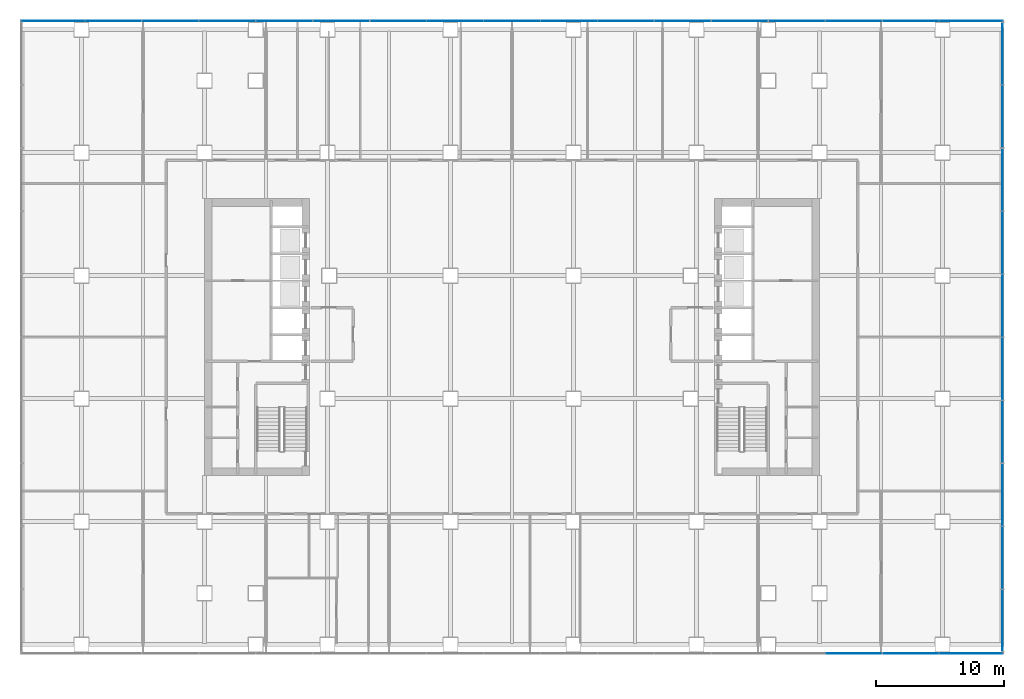
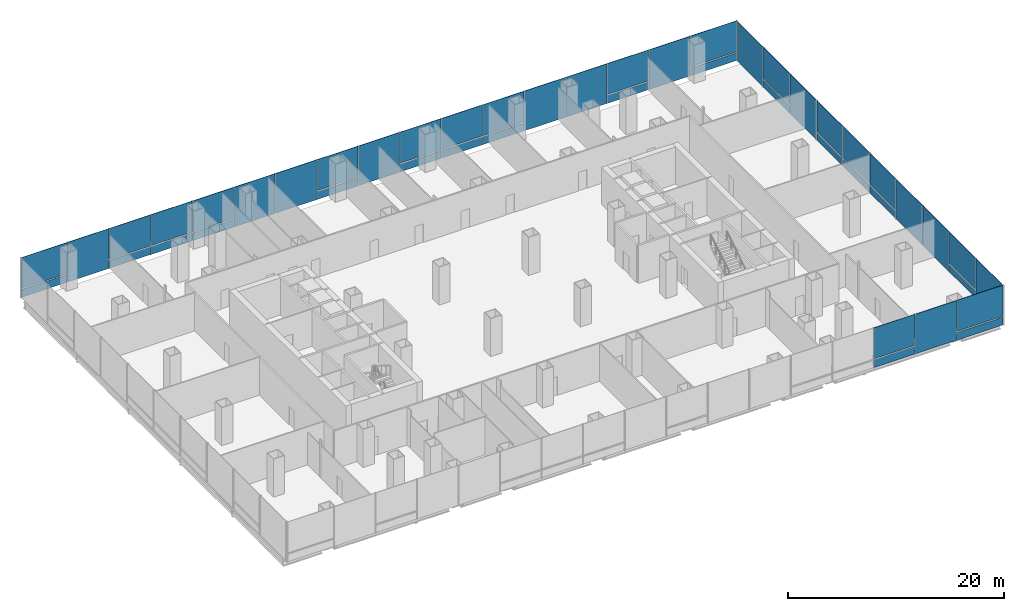
# One storey, part 15 of 23: 47 plates, 3 elements without a shape of their own.
"""IFC4 building model written with IfcOpenShell, lengths in metres."""

from ifc_helpers import new_model, si_unit, direction, frame, origin, origin_2d, place, context, subcontext, project, spatial, rectangle, extrude, material, layer, layer_set, type_object, element, aggregate, save


model = new_model("IFC4")

# Units and contexts
model_context = context("Model", 3, precision=1e-05, world=origin(), true_north=direction((0.0, 1.0)))
body_context = subcontext(model_context, "Body", "Model", "MODEL_VIEW")
ifc_project = project(units=[si_unit("LENGTHUNIT", "METRE"), si_unit("AREAUNIT", "SQUARE_METRE"), si_unit("VOLUMEUNIT", "CUBIC_METRE"), si_unit("PLANEANGLEUNIT", "RADIAN"), si_unit("MASSUNIT", "GRAM", prefix="KILO")], contexts=[model_context])

# Site, building, storey
site_placement = place(None, origin())
site = spatial("IfcSite", under=ifc_project, at=site_placement, CompositionType="ELEMENT")
building_placement = place(site_placement, origin())
building = spatial("IfcBuilding", under=site, at=building_placement, Name="Cobrizo Arcos Hotel Tower", CompositionType="ELEMENT")
storey_placement = place(building_placement, frame((0.0, 0.0, 20.0)))
storey = spatial("IfcBuildingStorey", under=building, at=storey_placement, Name="L03", CompositionType="ELEMENT", Elevation=20.0)

# Curtain wall, plates
ifc_material_1 = material(Name="Aluminium 6063-T6 anodised bronze", Category="aluminium")
curtain_wall_type_1 = type_object("IfcCurtainWallType", Name="CW-A guest facade", PredefinedType="NOTDEFINED", material=ifc_material_1)
curtain_wall_1_placement = place(storey_placement, origin())
curtain_wall_1 = element("IfcCurtainWall", 1, at=curtain_wall_1_placement, inside=storey, type_object=curtain_wall_type_1, Name="CW-A L03 N face", PredefinedType="NOTDEFINED")
ifc_material_2 = material(Name="Glass clear laminated low-e", Category="glass")
ifc_layer_1 = layer(ifc_material_2, 0.0400390625)
ifc_layer_set_1 = layer_set([ifc_layer_1], Name="CW-A glass panel")
plate_type_1 = type_object("IfcPlateType", Name="CW-A glass panel", PredefinedType="CURTAIN_PANEL", material=ifc_layer_set_1)
plate_1_placement = place(storey_placement, frame((35.839111328125, 24.675048828125, 0.990234375), z_axis=(0.0, 0.0, 1.0), x_axis=(-1.0, 0.0, 0.0)))
plate_1 = element("IfcPlate", 2, at=plate_1_placement, type_object=plate_type_1, Name="CW-A glass panel 171", PredefinedType="CURTAIN_PANEL", context=body_context, shape_type="SweptSolid", body=[
    extrude(rectangle(XDim=4.95166015625, YDim=0.0400390625, at=origin_2d()), origin(), (0.0, 0.0, 1.0), 3.510009765625),
])
plate_2_placement = place(storey_placement, frame((26.666748046875, 24.675048828125, 0.990234375), z_axis=(0.0, 0.0, 1.0), x_axis=(-1.0, 0.0, 0.0)))
plate_2 = element("IfcPlate", 3, at=plate_2_placement, type_object=plate_type_1, Name="CW-A glass panel 173", PredefinedType="CURTAIN_PANEL", context=body_context, shape_type="SweptSolid", body=[
    extrude(rectangle(XDim=4.384521484375, YDim=0.0400390625, at=origin_2d()), origin(), (0.0, 0.0, 1.0), 3.510009765625),
])
plate_3_placement = place(storey_placement, frame((13.333251953125, 24.675048828125, 0.990234375), z_axis=(0.0, 0.0, 1.0), x_axis=(-1.0, 0.0, 0.0)))
plate_3 = element("IfcPlate", 4, at=plate_3_placement, type_object=plate_type_1, Name="CW-A glass panel 176", PredefinedType="CURTAIN_PANEL", context=body_context, shape_type="SweptSolid", body=[
    extrude(rectangle(XDim=4.384521484375, YDim=0.0400390625, at=origin_2d()), origin(), (0.0, 0.0, 1.0), 3.510009765625),
])
plate_4_placement = place(storey_placement, frame((8.888916015625, 24.675048828125, 0.990234375), z_axis=(0.0, 0.0, 1.0), x_axis=(-1.0, 0.0, 0.0)))
plate_4 = element("IfcPlate", 5, at=plate_4_placement, type_object=plate_type_1, Name="CW-A glass panel 177", PredefinedType="CURTAIN_PANEL", context=body_context, shape_type="SweptSolid", body=[
    extrude(rectangle(XDim=4.384521484375, YDim=0.0400390625, at=origin_2d()), origin(), (0.0, 0.0, 1.0), 3.510009765625),
])
plate_5_placement = place(storey_placement, frame((4.4443359375, 24.675048828125, 0.990234375), z_axis=(0.0, 0.0, 1.0), x_axis=(-1.0, 0.0, 0.0)))
plate_5 = element("IfcPlate", 6, at=plate_5_placement, type_object=plate_type_1, Name="CW-A glass panel 178", PredefinedType="CURTAIN_PANEL", context=body_context, shape_type="SweptSolid", body=[
    extrude(rectangle(XDim=4.384521484375, YDim=0.0400390625, at=origin_2d()), origin(), (0.0, 0.0, 1.0), 3.510009765625),
])
plate_6_placement = place(storey_placement, frame((-4.4443359375, 24.675048828125, 0.990234375), z_axis=(0.0, 0.0, 1.0), x_axis=(-1.0, 0.0, 0.0)))
plate_6 = element("IfcPlate", 7, at=plate_6_placement, type_object=plate_type_1, Name="CW-A glass panel 180", PredefinedType="CURTAIN_PANEL", context=body_context, shape_type="SweptSolid", body=[
    extrude(rectangle(XDim=4.384521484375, YDim=0.0400390625, at=origin_2d()), origin(), (0.0, 0.0, 1.0), 3.510009765625),
])
plate_7_placement = place(storey_placement, frame((-17.77783203125, 24.675048828125, 0.990234375), z_axis=(0.0, 0.0, 1.0), x_axis=(-1.0, 0.0, 0.0)))
plate_7 = element("IfcPlate", 8, at=plate_7_placement, type_object=plate_type_1, Name="CW-A glass panel 183", PredefinedType="CURTAIN_PANEL", context=body_context, shape_type="SweptSolid", body=[
    extrude(rectangle(XDim=4.384521484375, YDim=0.0400390625, at=origin_2d()), origin(), (0.0, 0.0, 1.0), 3.510009765625),
])
plate_8_placement = place(storey_placement, frame((-22.22216796875, 24.675048828125, 0.990234375), z_axis=(0.0, 0.0, 1.0), x_axis=(-1.0, 0.0, 0.0)))
plate_8 = element("IfcPlate", 9, at=plate_8_placement, type_object=plate_type_1, Name="CW-A glass panel 184", PredefinedType="CURTAIN_PANEL", context=body_context, shape_type="SweptSolid", body=[
    extrude(rectangle(XDim=4.384521484375, YDim=0.0400390625, at=origin_2d()), origin(), (0.0, 0.0, 1.0), 3.510009765625),
])
plate_9_placement = place(storey_placement, frame((-26.666748046875, 24.675048828125, 0.990234375), z_axis=(0.0, 0.0, 1.0), x_axis=(-1.0, 0.0, 0.0)))
plate_9 = element("IfcPlate", 10, at=plate_9_placement, type_object=plate_type_1, Name="CW-A glass panel 185", PredefinedType="CURTAIN_PANEL", context=body_context, shape_type="SweptSolid", body=[
    extrude(rectangle(XDim=4.384521484375, YDim=0.0400390625, at=origin_2d()), origin(), (0.0, 0.0, 1.0), 3.510009765625),
])
plate_10_placement = place(storey_placement, frame((-35.839111328125, 24.675048828125, 0.990234375), z_axis=(0.0, 0.0, 1.0), x_axis=(-1.0, 0.0, 0.0)))
plate_10 = element("IfcPlate", 11, at=plate_10_placement, type_object=plate_type_1, Name="CW-A glass panel 187", PredefinedType="CURTAIN_PANEL", context=body_context, shape_type="SweptSolid", body=[
    extrude(rectangle(XDim=4.95166015625, YDim=0.0400390625, at=origin_2d()), origin(), (0.0, 0.0, 1.0), 3.510009765625),
])

curtain_wall_2_placement = place(storey_placement, origin())
curtain_wall_2 = element("IfcCurtainWall", 12, at=curtain_wall_2_placement, inside=storey, type_object=curtain_wall_type_1, Name="CW-A L03 S face", PredefinedType="NOTDEFINED")
plate_11_placement = place(storey_placement, frame((26.666748046875, -24.675048828125, 0.990234375), z_axis=(0.0, 0.0, 1.0), x_axis=(1.0, 0.0, 0.0)))
plate_11 = element("IfcPlate", 13, at=plate_11_placement, type_object=plate_type_1, Name="CW-A glass panel 212", PredefinedType="CURTAIN_PANEL", context=body_context, shape_type="SweptSolid", body=[
    extrude(rectangle(XDim=4.384521484375, YDim=0.0400390625, at=origin_2d()), origin(), (0.0, 0.0, 1.0), 3.510009765625),
])
plate_12_placement = place(storey_placement, frame((35.839111328125, -24.675048828125, 0.990234375), z_axis=(0.0, 0.0, 1.0), x_axis=(1.0, 0.0, 0.0)))
plate_12 = element("IfcPlate", 14, at=plate_12_placement, type_object=plate_type_1, Name="CW-A glass panel 214", PredefinedType="CURTAIN_PANEL", context=body_context, shape_type="SweptSolid", body=[
    extrude(rectangle(XDim=4.95166015625, YDim=0.0400390625, at=origin_2d()), origin(), (0.0, 0.0, 1.0), 3.510009765625),
])

# Plate
ifc_material_3 = material(Name="Aluminium composite panel pale metal", Category="aluminium")
ifc_layer_2 = layer(ifc_material_3, 0.0400390625)
ifc_layer_set_2 = layer_set([ifc_layer_2], Name="CW-A spandrel panel")
plate_type_2 = type_object("IfcPlateType", Name="CW-A spandrel panel", PredefinedType="CURTAIN_PANEL", material=ifc_layer_set_2)
plate_13_placement = place(storey_placement, frame((35.839111328125, 24.675048828125, 0.0), z_axis=(0.0, 0.0, 1.0), x_axis=(-1.0, 0.0, 0.0)))
plate_13 = element("IfcPlate", 15, at=plate_13_placement, type_object=plate_type_2, Name="CW-A spandrel panel 171", PredefinedType="CURTAIN_PANEL", context=body_context, shape_type="SweptSolid", body=[
    extrude(rectangle(XDim=4.95166015625, YDim=0.0400390625, at=origin_2d()), origin(), (0.0, 0.0, 1.0), 0.8701171875),
])

plate_14_placement = place(storey_placement, frame((31.111083984375, 24.675048828125, 0.0), z_axis=(0.0, 0.0, 1.0), x_axis=(-1.0, 0.0, 0.0)))
plate_14 = element("IfcPlate", 16, at=plate_14_placement, type_object=plate_type_2, Name="CW-A spandrel panel 172", PredefinedType="CURTAIN_PANEL", context=body_context, shape_type="SweptSolid", body=[
    extrude(rectangle(XDim=4.384521484375, YDim=0.0400390625, at=origin_2d()), origin(), (0.0, 0.0, 1.0), 4.5),
])

plate_15_placement = place(storey_placement, frame((26.666748046875, 24.675048828125, 0.0), z_axis=(0.0, 0.0, 1.0), x_axis=(-1.0, 0.0, 0.0)))
plate_15 = element("IfcPlate", 17, at=plate_15_placement, type_object=plate_type_2, Name="CW-A spandrel panel 173", PredefinedType="CURTAIN_PANEL", context=body_context, shape_type="SweptSolid", body=[
    extrude(rectangle(XDim=4.384521484375, YDim=0.0400390625, at=origin_2d()), origin(), (0.0, 0.0, 1.0), 0.8701171875),
])

plate_16_placement = place(storey_placement, frame((22.22216796875, 24.675048828125, 0.0), z_axis=(0.0, 0.0, 1.0), x_axis=(-1.0, 0.0, 0.0)))
plate_16 = element("IfcPlate", 18, at=plate_16_placement, type_object=plate_type_2, Name="CW-A spandrel panel 174", PredefinedType="CURTAIN_PANEL", context=body_context, shape_type="SweptSolid", body=[
    extrude(rectangle(XDim=4.384521484375, YDim=0.0400390625, at=origin_2d()), origin(), (0.0, 0.0, 1.0), 4.5),
])

plate_17_placement = place(storey_placement, frame((17.77783203125, 24.675048828125, 0.0), z_axis=(0.0, 0.0, 1.0), x_axis=(-1.0, 0.0, 0.0)))
plate_17 = element("IfcPlate", 19, at=plate_17_placement, type_object=plate_type_2, Name="CW-A spandrel panel 175", PredefinedType="CURTAIN_PANEL", context=body_context, shape_type="SweptSolid", body=[
    extrude(rectangle(XDim=4.384521484375, YDim=0.0400390625, at=origin_2d()), origin(), (0.0, 0.0, 1.0), 4.5),
])

plate_18_placement = place(storey_placement, frame((13.333251953125, 24.675048828125, 0.0), z_axis=(0.0, 0.0, 1.0), x_axis=(-1.0, 0.0, 0.0)))
plate_18 = element("IfcPlate", 20, at=plate_18_placement, type_object=plate_type_2, Name="CW-A spandrel panel 176", PredefinedType="CURTAIN_PANEL", context=body_context, shape_type="SweptSolid", body=[
    extrude(rectangle(XDim=4.384521484375, YDim=0.0400390625, at=origin_2d()), origin(), (0.0, 0.0, 1.0), 0.8701171875),
])

plate_19_placement = place(storey_placement, frame((8.888916015625, 24.675048828125, 0.0), z_axis=(0.0, 0.0, 1.0), x_axis=(-1.0, 0.0, 0.0)))
plate_19 = element("IfcPlate", 21, at=plate_19_placement, type_object=plate_type_2, Name="CW-A spandrel panel 177", PredefinedType="CURTAIN_PANEL", context=body_context, shape_type="SweptSolid", body=[
    extrude(rectangle(XDim=4.384521484375, YDim=0.0400390625, at=origin_2d()), origin(), (0.0, 0.0, 1.0), 0.8701171875),
])

plate_20_placement = place(storey_placement, frame((4.4443359375, 24.675048828125, 0.0), z_axis=(0.0, 0.0, 1.0), x_axis=(-1.0, 0.0, 0.0)))
plate_20 = element("IfcPlate", 22, at=plate_20_placement, type_object=plate_type_2, Name="CW-A spandrel panel 178", PredefinedType="CURTAIN_PANEL", context=body_context, shape_type="SweptSolid", body=[
    extrude(rectangle(XDim=4.384521484375, YDim=0.0400390625, at=origin_2d()), origin(), (0.0, 0.0, 1.0), 0.8701171875),
])

plate_21_placement = place(storey_placement, frame((0.0, 24.675048828125, 0.0), z_axis=(0.0, 0.0, 1.0), x_axis=(-1.0, 0.0, 0.0)))
plate_21 = element("IfcPlate", 23, at=plate_21_placement, type_object=plate_type_2, Name="CW-A spandrel panel 179", PredefinedType="CURTAIN_PANEL", context=body_context, shape_type="SweptSolid", body=[
    extrude(rectangle(XDim=4.384521484375, YDim=0.0400390625, at=origin_2d()), origin(), (0.0, 0.0, 1.0), 4.5),
])

plate_22_placement = place(storey_placement, frame((-4.4443359375, 24.675048828125, 0.0), z_axis=(0.0, 0.0, 1.0), x_axis=(-1.0, 0.0, 0.0)))
plate_22 = element("IfcPlate", 24, at=plate_22_placement, type_object=plate_type_2, Name="CW-A spandrel panel 180", PredefinedType="CURTAIN_PANEL", context=body_context, shape_type="SweptSolid", body=[
    extrude(rectangle(XDim=4.384521484375, YDim=0.0400390625, at=origin_2d()), origin(), (0.0, 0.0, 1.0), 0.8701171875),
])

plate_23_placement = place(storey_placement, frame((-8.888916015625, 24.675048828125, 0.0), z_axis=(0.0, 0.0, 1.0), x_axis=(-1.0, 0.0, 0.0)))
plate_23 = element("IfcPlate", 25, at=plate_23_placement, type_object=plate_type_2, Name="CW-A spandrel panel 181", PredefinedType="CURTAIN_PANEL", context=body_context, shape_type="SweptSolid", body=[
    extrude(rectangle(XDim=4.384521484375, YDim=0.0400390625, at=origin_2d()), origin(), (0.0, 0.0, 1.0), 4.5),
])

plate_24_placement = place(storey_placement, frame((-13.333251953125, 24.675048828125, 0.0), z_axis=(0.0, 0.0, 1.0), x_axis=(-1.0, 0.0, 0.0)))
plate_24 = element("IfcPlate", 26, at=plate_24_placement, type_object=plate_type_2, Name="CW-A spandrel panel 182", PredefinedType="CURTAIN_PANEL", context=body_context, shape_type="SweptSolid", body=[
    extrude(rectangle(XDim=4.384521484375, YDim=0.0400390625, at=origin_2d()), origin(), (0.0, 0.0, 1.0), 4.5),
])

plate_25_placement = place(storey_placement, frame((-17.77783203125, 24.675048828125, 0.0), z_axis=(0.0, 0.0, 1.0), x_axis=(-1.0, 0.0, 0.0)))
plate_25 = element("IfcPlate", 27, at=plate_25_placement, type_object=plate_type_2, Name="CW-A spandrel panel 183", PredefinedType="CURTAIN_PANEL", context=body_context, shape_type="SweptSolid", body=[
    extrude(rectangle(XDim=4.384521484375, YDim=0.0400390625, at=origin_2d()), origin(), (0.0, 0.0, 1.0), 0.8701171875),
])

plate_26_placement = place(storey_placement, frame((-22.22216796875, 24.675048828125, 0.0), z_axis=(0.0, 0.0, 1.0), x_axis=(-1.0, 0.0, 0.0)))
plate_26 = element("IfcPlate", 28, at=plate_26_placement, type_object=plate_type_2, Name="CW-A spandrel panel 184", PredefinedType="CURTAIN_PANEL", context=body_context, shape_type="SweptSolid", body=[
    extrude(rectangle(XDim=4.384521484375, YDim=0.0400390625, at=origin_2d()), origin(), (0.0, 0.0, 1.0), 0.8701171875),
])

plate_27_placement = place(storey_placement, frame((-26.666748046875, 24.675048828125, 0.0), z_axis=(0.0, 0.0, 1.0), x_axis=(-1.0, 0.0, 0.0)))
plate_27 = element("IfcPlate", 29, at=plate_27_placement, type_object=plate_type_2, Name="CW-A spandrel panel 185", PredefinedType="CURTAIN_PANEL", context=body_context, shape_type="SweptSolid", body=[
    extrude(rectangle(XDim=4.384521484375, YDim=0.0400390625, at=origin_2d()), origin(), (0.0, 0.0, 1.0), 0.8701171875),
])

plate_28_placement = place(storey_placement, frame((-31.111083984375, 24.675048828125, 0.0), z_axis=(0.0, 0.0, 1.0), x_axis=(-1.0, 0.0, 0.0)))
plate_28 = element("IfcPlate", 30, at=plate_28_placement, type_object=plate_type_2, Name="CW-A spandrel panel 186", PredefinedType="CURTAIN_PANEL", context=body_context, shape_type="SweptSolid", body=[
    extrude(rectangle(XDim=4.384521484375, YDim=0.0400390625, at=origin_2d()), origin(), (0.0, 0.0, 1.0), 4.5),
])

plate_29_placement = place(storey_placement, frame((-35.839111328125, 24.675048828125, 0.0), z_axis=(0.0, 0.0, 1.0), x_axis=(-1.0, 0.0, 0.0)))
plate_29 = element("IfcPlate", 31, at=plate_29_placement, type_object=plate_type_2, Name="CW-A spandrel panel 187", PredefinedType="CURTAIN_PANEL", context=body_context, shape_type="SweptSolid", body=[
    extrude(rectangle(XDim=4.95166015625, YDim=0.0400390625, at=origin_2d()), origin(), (0.0, 0.0, 1.0), 0.8701171875),
])

aggregate(curtain_wall_1, [plate_13, plate_1, plate_14, plate_15, plate_2, plate_16, plate_17, plate_18, plate_3, plate_19, plate_4, plate_20, plate_5, plate_21, plate_22, plate_6, plate_23, plate_24, plate_25, plate_7, plate_26, plate_8, plate_27, plate_9, plate_28, plate_29, plate_10])

plate_30_placement = place(storey_placement, frame((26.666748046875, -24.675048828125, 0.0), z_axis=(0.0, 0.0, 1.0), x_axis=(1.0, 0.0, 0.0)))
plate_30 = element("IfcPlate", 32, at=plate_30_placement, type_object=plate_type_2, Name="CW-A spandrel panel 212", PredefinedType="CURTAIN_PANEL", context=body_context, shape_type="SweptSolid", body=[
    extrude(rectangle(XDim=4.384521484375, YDim=0.0400390625, at=origin_2d()), origin(), (0.0, 0.0, 1.0), 0.8701171875),
])

plate_31_placement = place(storey_placement, frame((31.111083984375, -24.675048828125, 0.0), z_axis=(0.0, 0.0, 1.0), x_axis=(1.0, 0.0, 0.0)))
plate_31 = element("IfcPlate", 33, at=plate_31_placement, type_object=plate_type_2, Name="CW-A spandrel panel 213", PredefinedType="CURTAIN_PANEL", context=body_context, shape_type="SweptSolid", body=[
    extrude(rectangle(XDim=4.384521484375, YDim=0.0400390625, at=origin_2d()), origin(), (0.0, 0.0, 1.0), 4.5),
])

plate_32_placement = place(storey_placement, frame((35.839111328125, -24.675048828125, 0.0), z_axis=(0.0, 0.0, 1.0), x_axis=(1.0, 0.0, 0.0)))
plate_32 = element("IfcPlate", 34, at=plate_32_placement, type_object=plate_type_2, Name="CW-A spandrel panel 214", PredefinedType="CURTAIN_PANEL", context=body_context, shape_type="SweptSolid", body=[
    extrude(rectangle(XDim=4.95166015625, YDim=0.0400390625, at=origin_2d()), origin(), (0.0, 0.0, 1.0), 0.8701171875),
])

aggregate(curtain_wall_2, [plate_30, plate_11, plate_31, plate_32, plate_12])

# Curtain wall, plates
curtain_wall_type_2 = type_object("IfcCurtainWallType", Name="CW-B podium glazing", PredefinedType="NOTDEFINED", material=ifc_material_1)
curtain_wall_3_placement = place(storey_placement, origin())
curtain_wall_3 = element("IfcCurtainWall", 35, at=curtain_wall_3_placement, inside=storey, type_object=curtain_wall_type_2, Name="CW-B L03 E face", PredefinedType="NOTDEFINED")
ifc_layer_3 = layer(ifc_material_2, 0.0400390625)
ifc_layer_set_3 = layer_set([ifc_layer_3], Name="CW-B glass panel")
plate_type_3 = type_object("IfcPlateType", Name="CW-B glass panel", PredefinedType="CURTAIN_PANEL", material=ifc_layer_set_3)
plate_33_placement = place(storey_placement, frame((38.300048828125, -17.219970703125, 0.97998046875), z_axis=(0.0, 0.0, 1.0), x_axis=(0.0, 1.0, 0.0)))
plate_33 = element("IfcPlate", 36, at=plate_33_placement, type_object=plate_type_3, Name="CW-B glass panel 162", PredefinedType="CURTAIN_PANEL", context=body_context, shape_type="SweptSolid", body=[
    extrude(rectangle(XDim=4.840087890625, YDim=0.0400390625, at=origin_2d()), origin(), (0.0, 0.0, 1.0), 3.52001953125),
])
plate_34_placement = place(storey_placement, frame((38.300048828125, -2.4599609375, 0.97998046875), z_axis=(0.0, 0.0, 1.0), x_axis=(0.0, 1.0, 0.0)))
plate_34 = element("IfcPlate", 37, at=plate_34_placement, type_object=plate_type_3, Name="CW-B glass panel 165", PredefinedType="CURTAIN_PANEL", context=body_context, shape_type="SweptSolid", body=[
    extrude(rectangle(XDim=4.840087890625, YDim=0.0400390625, at=origin_2d()), origin(), (0.0, 0.0, 1.0), 3.52001953125),
])
plate_35_placement = place(storey_placement, frame((38.300048828125, 2.4599609375, 0.97998046875), z_axis=(0.0, 0.0, 1.0), x_axis=(0.0, 1.0, 0.0)))
plate_35 = element("IfcPlate", 38, at=plate_35_placement, type_object=plate_type_3, Name="CW-B glass panel 166", PredefinedType="CURTAIN_PANEL", context=body_context, shape_type="SweptSolid", body=[
    extrude(rectangle(XDim=4.840087890625, YDim=0.0400390625, at=origin_2d()), origin(), (0.0, 0.0, 1.0), 3.52001953125),
])
plate_36_placement = place(storey_placement, frame((38.300048828125, 7.3798828125, 0.97998046875), z_axis=(0.0, 0.0, 1.0), x_axis=(0.0, 1.0, 0.0)))
plate_36 = element("IfcPlate", 39, at=plate_36_placement, type_object=plate_type_3, Name="CW-B glass panel 167", PredefinedType="CURTAIN_PANEL", context=body_context, shape_type="SweptSolid", body=[
    extrude(rectangle(XDim=4.840087890625, YDim=0.0400390625, at=origin_2d()), origin(), (0.0, 0.0, 1.0), 3.52001953125),
])
plate_37_placement = place(storey_placement, frame((38.300048828125, 17.219970703125, 0.97998046875), z_axis=(0.0, 0.0, 1.0), x_axis=(0.0, 1.0, 0.0)))
plate_37 = element("IfcPlate", 40, at=plate_37_placement, type_object=plate_type_3, Name="CW-B glass panel 169", PredefinedType="CURTAIN_PANEL", context=body_context, shape_type="SweptSolid", body=[
    extrude(rectangle(XDim=4.840087890625, YDim=0.0400390625, at=origin_2d()), origin(), (0.0, 0.0, 1.0), 3.52001953125),
])
ifc_layer_4 = layer(ifc_material_3, 0.06005859375)
ifc_layer_set_4 = layer_set([ifc_layer_4], Name="CW-B spandrel panel")
plate_type_4 = type_object("IfcPlateType", Name="CW-B spandrel panel", PredefinedType="CURTAIN_PANEL", material=ifc_layer_set_4)
plate_38_placement = place(storey_placement, frame((38.300048828125, -22.1201171875, 0.0), z_axis=(0.0, 0.0, 1.0), x_axis=(0.0, 1.0, 0.0)))
plate_38 = element("IfcPlate", 41, at=plate_38_placement, type_object=plate_type_4, Name="CW-B spandrel panel 161", PredefinedType="CURTAIN_PANEL", context=body_context, shape_type="SweptSolid", body=[
    extrude(rectangle(XDim=4.800048828125, YDim=0.0400390625, at=origin_2d()), origin(), (0.0, 0.0, 1.0), 4.5),
])
plate_39_placement = place(storey_placement, frame((38.300048828125, -17.219970703125, 0.0), z_axis=(0.0, 0.0, 1.0), x_axis=(0.0, 1.0, 0.0)))
plate_39 = element("IfcPlate", 42, at=plate_39_placement, type_object=plate_type_4, Name="CW-B spandrel panel 162", PredefinedType="CURTAIN_PANEL", context=body_context, shape_type="SweptSolid", body=[
    extrude(rectangle(XDim=4.840087890625, YDim=0.0400390625, at=origin_2d()), origin(), (0.0, 0.0, 1.0), 0.820068359375),
])
plate_40_placement = place(storey_placement, frame((38.300048828125, -12.300048828125, 0.0), z_axis=(0.0, 0.0, 1.0), x_axis=(0.0, 1.0, 0.0)))
plate_40 = element("IfcPlate", 43, at=plate_40_placement, type_object=plate_type_4, Name="CW-B spandrel panel 163", PredefinedType="CURTAIN_PANEL", context=body_context, shape_type="SweptSolid", body=[
    extrude(rectangle(XDim=4.840087890625, YDim=0.0400390625, at=origin_2d()), origin(), (0.0, 0.0, 1.0), 4.5),
])
plate_41_placement = place(storey_placement, frame((38.300048828125, -7.3798828125, 0.0), z_axis=(0.0, 0.0, 1.0), x_axis=(0.0, 1.0, 0.0)))
plate_41 = element("IfcPlate", 44, at=plate_41_placement, type_object=plate_type_4, Name="CW-B spandrel panel 164", PredefinedType="CURTAIN_PANEL", context=body_context, shape_type="SweptSolid", body=[
    extrude(rectangle(XDim=4.840087890625, YDim=0.0400390625, at=origin_2d()), origin(), (0.0, 0.0, 1.0), 4.5),
])
plate_42_placement = place(storey_placement, frame((38.300048828125, -2.4599609375, 0.0), z_axis=(0.0, 0.0, 1.0), x_axis=(0.0, 1.0, 0.0)))
plate_42 = element("IfcPlate", 45, at=plate_42_placement, type_object=plate_type_4, Name="CW-B spandrel panel 165", PredefinedType="CURTAIN_PANEL", context=body_context, shape_type="SweptSolid", body=[
    extrude(rectangle(XDim=4.840087890625, YDim=0.0400390625, at=origin_2d()), origin(), (0.0, 0.0, 1.0), 0.820068359375),
])
plate_43_placement = place(storey_placement, frame((38.300048828125, 2.4599609375, 0.0), z_axis=(0.0, 0.0, 1.0), x_axis=(0.0, 1.0, 0.0)))
plate_43 = element("IfcPlate", 46, at=plate_43_placement, type_object=plate_type_4, Name="CW-B spandrel panel 166", PredefinedType="CURTAIN_PANEL", context=body_context, shape_type="SweptSolid", body=[
    extrude(rectangle(XDim=4.840087890625, YDim=0.0400390625, at=origin_2d()), origin(), (0.0, 0.0, 1.0), 0.820068359375),
])
plate_44_placement = place(storey_placement, frame((38.300048828125, 7.3798828125, 0.0), z_axis=(0.0, 0.0, 1.0), x_axis=(0.0, 1.0, 0.0)))
plate_44 = element("IfcPlate", 47, at=plate_44_placement, type_object=plate_type_4, Name="CW-B spandrel panel 167", PredefinedType="CURTAIN_PANEL", context=body_context, shape_type="SweptSolid", body=[
    extrude(rectangle(XDim=4.840087890625, YDim=0.0400390625, at=origin_2d()), origin(), (0.0, 0.0, 1.0), 0.820068359375),
])
plate_45_placement = place(storey_placement, frame((38.300048828125, 12.300048828125, 0.0), z_axis=(0.0, 0.0, 1.0), x_axis=(0.0, 1.0, 0.0)))
plate_45 = element("IfcPlate", 48, at=plate_45_placement, type_object=plate_type_4, Name="CW-B spandrel panel 168", PredefinedType="CURTAIN_PANEL", context=body_context, shape_type="SweptSolid", body=[
    extrude(rectangle(XDim=4.840087890625, YDim=0.0400390625, at=origin_2d()), origin(), (0.0, 0.0, 1.0), 4.5),
])
plate_46_placement = place(storey_placement, frame((38.300048828125, 17.219970703125, 0.0), z_axis=(0.0, 0.0, 1.0), x_axis=(0.0, 1.0, 0.0)))
plate_46 = element("IfcPlate", 49, at=plate_46_placement, type_object=plate_type_4, Name="CW-B spandrel panel 169", PredefinedType="CURTAIN_PANEL", context=body_context, shape_type="SweptSolid", body=[
    extrude(rectangle(XDim=4.840087890625, YDim=0.0400390625, at=origin_2d()), origin(), (0.0, 0.0, 1.0), 0.820068359375),
])
plate_47_placement = place(storey_placement, frame((38.300048828125, 22.1201171875, 0.0), z_axis=(0.0, 0.0, 1.0), x_axis=(0.0, 1.0, 0.0)))
plate_47 = element("IfcPlate", 50, at=plate_47_placement, type_object=plate_type_4, Name="CW-B spandrel panel 170", PredefinedType="CURTAIN_PANEL", context=body_context, shape_type="SweptSolid", body=[
    extrude(rectangle(XDim=4.800048828125, YDim=0.0400390625, at=origin_2d()), origin(), (0.0, 0.0, 1.0), 4.5),
])
aggregate(curtain_wall_3, [plate_38, plate_39, plate_33, plate_40, plate_41, plate_42, plate_34, plate_43, plate_35, plate_44, plate_36, plate_45, plate_46, plate_37, plate_47])

save(model, "model.ifc")
